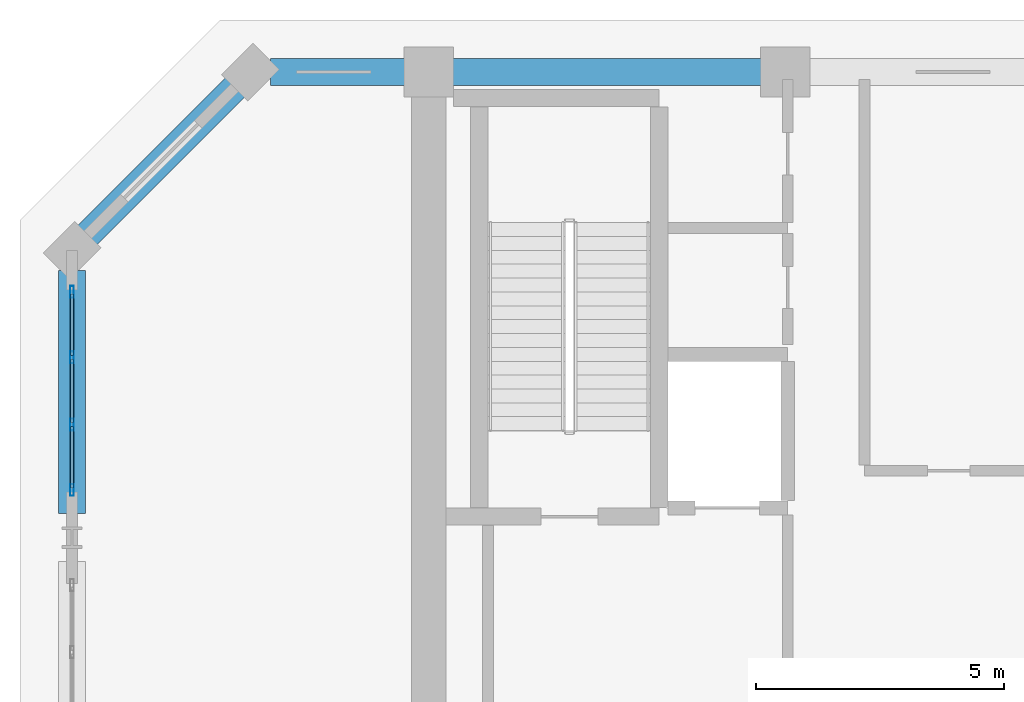
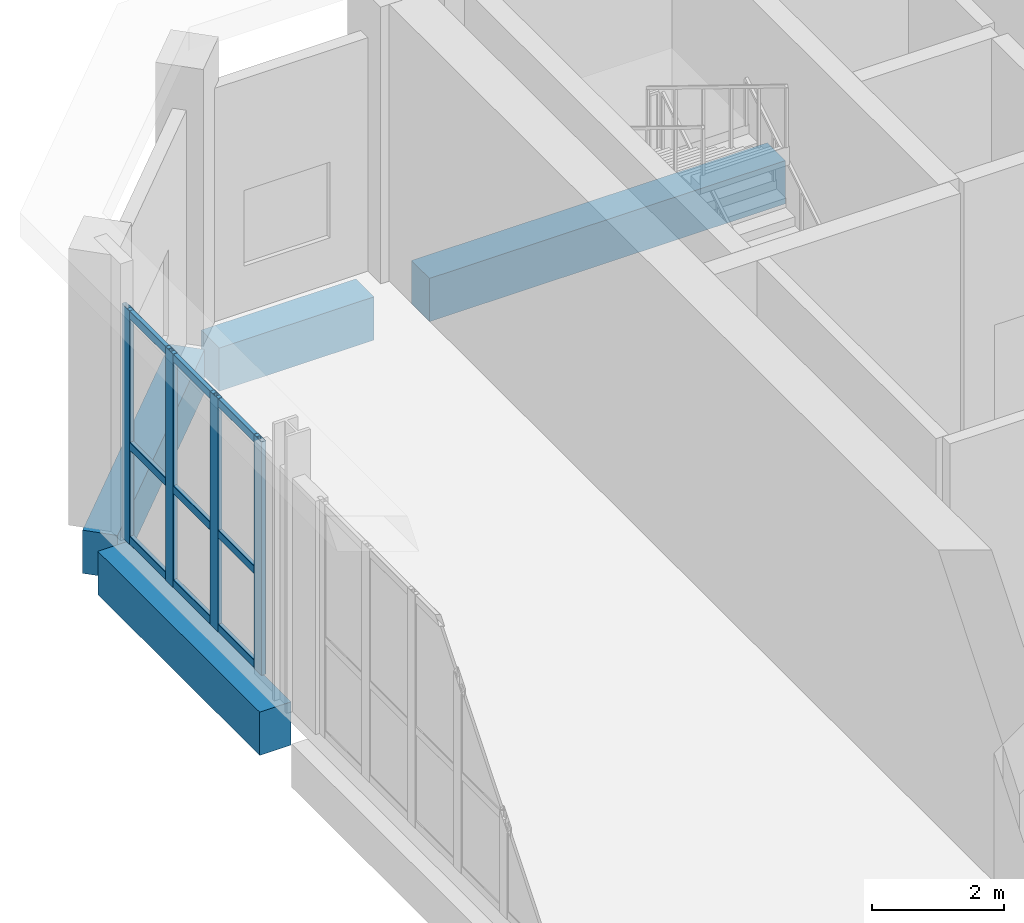
# One storey, part 12 of 26: 13 members, 4 beams, 1 element without a shape of its own.
"""IFC4 building model written with IfcOpenShell, lengths in metres."""

from ifc_helpers import new_model, si_unit, direction, frame, origin, origin_2d, place, context, subcontext, project, spatial, rectangle, hollow_rectangle, extrude, material, layer, layer_set, material_profile, profile_set, type_object, element, aggregate, save


model = new_model("IFC4")

# Units and contexts
model_context = context("Model", 3, precision=1e-05, world=origin(), true_north=direction((0.0, 1.0)))
body_context = subcontext(model_context, "Body", "Model", "MODEL_VIEW")
ifc_project = project(units=[si_unit("LENGTHUNIT", "METRE"), si_unit("AREAUNIT", "SQUARE_METRE"), si_unit("VOLUMEUNIT", "CUBIC_METRE"), si_unit("PLANEANGLEUNIT", "RADIAN"), si_unit("MASSUNIT", "GRAM", prefix="KILO")], contexts=[model_context])

# Site, building, storey
site_placement = place(None, origin())
site = spatial("IfcSite", under=ifc_project, at=site_placement, CompositionType="ELEMENT")
building_placement = place(site_placement, origin())
building = spatial("IfcBuilding", under=site, at=building_placement, Name="Kaelvorn Grand Hotel", CompositionType="ELEMENT")
storey_placement = place(building_placement, frame((0.0, 0.0, 294.699951171875)))
storey = spatial("IfcBuildingStorey", under=building, at=storey_placement, Name="L72", CompositionType="ELEMENT", Elevation=294.699951171875)

# Beams
ifc_material_1 = material(Name="Concrete C50/60", Category="concrete")
ifc_material_profile_1 = material_profile(ifc_material_1, rectangle(XDim=0.550048828125, YDim=0.800048828125, at=origin_2d()), Name="RC SPANDREL 550x800")
ifc_profile_set_1 = profile_set([ifc_material_profile_1], Name="Concrete C50/60")
beam_type = type_object("IfcBeamType", Name="BM-SP-550x800-C50", PredefinedType="SPANDREL", material=ifc_profile_set_1)
beam_1_placement = place(storey_placement, frame((13.0048828125, 49.0, -0.780029296875), z_axis=(1.0, 0.0, 0.0), x_axis=(0.0, 1.0, 0.0)))
element("IfcBeam", 1, at=beam_1_placement, inside=storey, type_object=beam_type, Name="L72 North Perimeter Spandrel 01", PredefinedType="SPANDREL", context=body_context, shape_type="SweptSolid", body=[
    extrude(rectangle(XDim=0.550048828125, YDim=0.800048828125, at=origin_2d()), origin(), (0.0, 0.0, 1.0), 2.710205078125),
])
beam_2_placement = place(storey_placement, frame((16.68505859375, 49.0, -0.780029296875), z_axis=(1.0, 0.0, 0.0), x_axis=(0.0, 1.0, 0.0)))
element("IfcBeam", 2, at=beam_2_placement, inside=storey, type_object=beam_type, Name="L72 North Perimeter Spandrel 02", PredefinedType="SPANDREL", context=body_context, shape_type="SweptSolid", body=[
    extrude(rectangle(XDim=0.550048828125, YDim=0.800048828125, at=origin_2d()), origin(), (0.0, 0.0, 1.0), 6.22998046875),
])
beam_3_placement = place(storey_placement, frame((9.0, 40.0849609375, -0.780029296875), z_axis=(0.0, 1.0, 0.0), x_axis=(-1.0, 0.0, 0.0)))
element("IfcBeam", 3, at=beam_3_placement, inside=storey, type_object=beam_type, Name="L72 West Perimeter Spandrel 04", PredefinedType="SPANDREL", context=body_context, shape_type="SweptSolid", body=[
    extrude(rectangle(XDim=0.550048828125, YDim=0.800048828125, at=origin_2d()), origin(), (0.0, 0.0, 1.0), 4.91015625),
])
beam_4_placement = place(storey_placement, frame((12.60009765625, 49.0, -0.780029296875), z_axis=(-0.707106781187, -0.707106781187, 0.0), x_axis=(0.707106781187, -0.707106781187, 0.0)))
element("IfcBeam", 4, at=beam_4_placement, inside=storey, type_object=beam_type, Name="L72 Chamfer Spandrel Beam 3", PredefinedType="SPANDREL", context=body_context, shape_type="SweptSolid", body=[
    extrude(rectangle(XDim=0.550048828125, YDim=0.800048828125, at=origin_2d()), origin(), (0.0, 0.0, 1.0), 5.09130859375),
])

# Curtain wall, members
ifc_material_2 = material(Name="Anodised Aluminium", Category="aluminium")
ifc_layer = layer(ifc_material_2, 0.239990234375)
ifc_layer_set = layer_set([ifc_layer], Name="Anodised Aluminium")
curtain_wall_type = type_object("IfcCurtainWallType", Name="CW-SYS5", PredefinedType="NOTDEFINED", material=ifc_layer_set)
curtain_wall_placement = place(storey_placement, origin())
curtain_wall = element("IfcCurtainWall", 5, at=curtain_wall_placement, inside=storey, type_object=curtain_wall_type, Name="L72 Unitised Curtain Wall CW5 (CW-L72-W-04)", PredefinedType="NOTDEFINED")
ifc_material_profile_2 = material_profile(ifc_material_2, hollow_rectangle(XDim=0.080078125, YDim=0.239990234375, WallThickness=0.0048828125, InnerFilletRadius=0.0048828125, OuterFilletRadius=0.010009765625, at=origin_2d()), Name="ALU MULL 80x240")
ifc_profile_set_2 = profile_set([ifc_material_profile_2], Name="Anodised Aluminium")
member_type_1 = type_object("IfcMemberType", Name="CW-SYS5-MULL", PredefinedType="MULLION", material=ifc_profile_set_2)
member_1_placement = place(storey_placement, frame((9.0, 44.56005859375, 0.0), z_axis=(0.0, 0.0, 1.0), x_axis=(1.0, 0.0, 0.0)))
member_1 = element("IfcMember", 6, at=member_1_placement, type_object=member_type_1, Name="CW5 mullion 1", PredefinedType="MULLION", context=body_context, shape_type="SweptSolid", body=[
    extrude(hollow_rectangle(XDim=0.080078125, YDim=0.239990234375, WallThickness=0.0048828125, InnerFilletRadius=0.0048828125, OuterFilletRadius=0.010009765625, at=origin_2d()), origin(), (0.0, 0.0, 1.0), 4.320068359375),
])
member_2_placement = place(storey_placement, frame((9.0, 43.239990234375, 0.0), z_axis=(0.0, 0.0, 1.0), x_axis=(1.0, 0.0, 0.0)))
member_2 = element("IfcMember", 7, at=member_2_placement, type_object=member_type_1, Name="CW5 mullion 2", PredefinedType="MULLION", context=body_context, shape_type="SweptSolid", body=[
    extrude(hollow_rectangle(XDim=0.080078125, YDim=0.239990234375, WallThickness=0.0048828125, InnerFilletRadius=0.0048828125, OuterFilletRadius=0.010009765625, at=origin_2d()), origin(), (0.0, 0.0, 1.0), 4.320068359375),
])
member_3_placement = place(storey_placement, frame((9.0, 41.8798828125, 0.0), z_axis=(0.0, 0.0, 1.0), x_axis=(1.0, 0.0, 0.0)))
member_3 = element("IfcMember", 8, at=member_3_placement, type_object=member_type_1, Name="CW5 mullion 3", PredefinedType="MULLION", context=body_context, shape_type="SweptSolid", body=[
    extrude(hollow_rectangle(XDim=0.080078125, YDim=0.239990234375, WallThickness=0.0048828125, InnerFilletRadius=0.0048828125, OuterFilletRadius=0.010009765625, at=origin_2d()), origin(), (0.0, 0.0, 1.0), 4.320068359375),
])
member_4_placement = place(storey_placement, frame((9.0, 40.56005859375, 0.0), z_axis=(0.0, 0.0, 1.0), x_axis=(1.0, 0.0, 0.0)))
member_4 = element("IfcMember", 9, at=member_4_placement, type_object=member_type_1, Name="CW5 mullion 4", PredefinedType="MULLION", context=body_context, shape_type="SweptSolid", body=[
    extrude(hollow_rectangle(XDim=0.080078125, YDim=0.239990234375, WallThickness=0.0048828125, InnerFilletRadius=0.0048828125, OuterFilletRadius=0.010009765625, at=origin_2d()), origin(), (0.0, 0.0, 1.0), 4.320068359375),
])
ifc_material_profile_3 = material_profile(ifc_material_2, hollow_rectangle(XDim=0.074951171875, YDim=0.14990234375, WallThickness=0.00390625, InnerFilletRadius=0.00390625, OuterFilletRadius=0.008056640625, at=origin_2d()), Name="ALU TRAN 75x150")
ifc_profile_set_3 = profile_set([ifc_material_profile_3], Name="Anodised Aluminium")
member_type_2 = type_object("IfcMemberType", Name="CW-SYS5-TRAN", PredefinedType="NOTDEFINED", material=ifc_profile_set_3)
member_5_placement = place(storey_placement, frame((9.0, 44.52001953125, 0.074951171875), z_axis=(0.0, -1.0, 0.0), x_axis=(1.0, 0.0, 0.0)))
member_5 = element("IfcMember", 10, at=member_5_placement, type_object=member_type_2, Name="CW5 transom 1.1", ObjectType="TRANSOM", PredefinedType="USERDEFINED", context=body_context, shape_type="SweptSolid", body=[
    extrude(hollow_rectangle(XDim=0.074951171875, YDim=0.14990234375, WallThickness=0.00390625, InnerFilletRadius=0.00390625, OuterFilletRadius=0.008056640625, at=origin_2d()), origin(), (0.0, 0.0, 1.0), 1.239990234375),
])
member_6_placement = place(storey_placement, frame((9.0, 44.52001953125, 1.814453125), z_axis=(0.0, -1.0, 0.0), x_axis=(1.0, 0.0, 0.0)))
member_6 = element("IfcMember", 11, at=member_6_placement, type_object=member_type_2, Name="CW5 transom 1.2", ObjectType="TRANSOM", PredefinedType="USERDEFINED", context=body_context, shape_type="SweptSolid", body=[
    extrude(hollow_rectangle(XDim=0.074951171875, YDim=0.14990234375, WallThickness=0.00390625, InnerFilletRadius=0.00390625, OuterFilletRadius=0.008056640625, at=origin_2d()), origin(), (0.0, 0.0, 1.0), 1.239990234375),
])
member_7_placement = place(storey_placement, frame((9.0, 44.52001953125, 4.2451171875), z_axis=(0.0, -1.0, 0.0), x_axis=(1.0, 0.0, 0.0)))
member_7 = element("IfcMember", 12, at=member_7_placement, type_object=member_type_2, Name="CW5 transom 1.3", ObjectType="TRANSOM", PredefinedType="USERDEFINED", context=body_context, shape_type="SweptSolid", body=[
    extrude(hollow_rectangle(XDim=0.074951171875, YDim=0.14990234375, WallThickness=0.00390625, InnerFilletRadius=0.00390625, OuterFilletRadius=0.008056640625, at=origin_2d()), origin(), (0.0, 0.0, 1.0), 1.239990234375),
])
member_8_placement = place(storey_placement, frame((9.0, 43.199951171875, 0.074951171875), z_axis=(0.0, -1.0, 0.0), x_axis=(1.0, 0.0, 0.0)))
member_8 = element("IfcMember", 13, at=member_8_placement, type_object=member_type_2, Name="CW5 transom 2.1", ObjectType="TRANSOM", PredefinedType="USERDEFINED", context=body_context, shape_type="SweptSolid", body=[
    extrude(hollow_rectangle(XDim=0.074951171875, YDim=0.14990234375, WallThickness=0.00390625, InnerFilletRadius=0.00390625, OuterFilletRadius=0.008056640625, at=origin_2d()), origin(), (0.0, 0.0, 1.0), 1.280029296875),
])
member_9_placement = place(storey_placement, frame((9.0, 43.199951171875, 1.814453125), z_axis=(0.0, -1.0, 0.0), x_axis=(1.0, 0.0, 0.0)))
member_9 = element("IfcMember", 14, at=member_9_placement, type_object=member_type_2, Name="CW5 transom 2.2", ObjectType="TRANSOM", PredefinedType="USERDEFINED", context=body_context, shape_type="SweptSolid", body=[
    extrude(hollow_rectangle(XDim=0.074951171875, YDim=0.14990234375, WallThickness=0.00390625, InnerFilletRadius=0.00390625, OuterFilletRadius=0.008056640625, at=origin_2d()), origin(), (0.0, 0.0, 1.0), 1.280029296875),
])
member_10_placement = place(storey_placement, frame((9.0, 43.199951171875, 4.2451171875), z_axis=(0.0, -1.0, 0.0), x_axis=(1.0, 0.0, 0.0)))
member_10 = element("IfcMember", 15, at=member_10_placement, type_object=member_type_2, Name="CW5 transom 2.3", ObjectType="TRANSOM", PredefinedType="USERDEFINED", context=body_context, shape_type="SweptSolid", body=[
    extrude(hollow_rectangle(XDim=0.074951171875, YDim=0.14990234375, WallThickness=0.00390625, InnerFilletRadius=0.00390625, OuterFilletRadius=0.008056640625, at=origin_2d()), origin(), (0.0, 0.0, 1.0), 1.280029296875),
])
member_11_placement = place(storey_placement, frame((9.0, 41.840087890625, 0.074951171875), z_axis=(0.0, -1.0, 0.0), x_axis=(1.0, 0.0, 0.0)))
member_11 = element("IfcMember", 16, at=member_11_placement, type_object=member_type_2, Name="CW5 transom 3.1", ObjectType="TRANSOM", PredefinedType="USERDEFINED", context=body_context, shape_type="SweptSolid", body=[
    extrude(hollow_rectangle(XDim=0.074951171875, YDim=0.14990234375, WallThickness=0.00390625, InnerFilletRadius=0.00390625, OuterFilletRadius=0.008056640625, at=origin_2d()), origin(), (0.0, 0.0, 1.0), 1.239990234375),
])
member_12_placement = place(storey_placement, frame((9.0, 41.840087890625, 1.814453125), z_axis=(0.0, -1.0, 0.0), x_axis=(1.0, 0.0, 0.0)))
member_12 = element("IfcMember", 17, at=member_12_placement, type_object=member_type_2, Name="CW5 transom 3.2", ObjectType="TRANSOM", PredefinedType="USERDEFINED", context=body_context, shape_type="SweptSolid", body=[
    extrude(hollow_rectangle(XDim=0.074951171875, YDim=0.14990234375, WallThickness=0.00390625, InnerFilletRadius=0.00390625, OuterFilletRadius=0.008056640625, at=origin_2d()), origin(), (0.0, 0.0, 1.0), 1.239990234375),
])
member_13_placement = place(storey_placement, frame((9.0, 41.840087890625, 4.2451171875), z_axis=(0.0, -1.0, 0.0), x_axis=(1.0, 0.0, 0.0)))
member_13 = element("IfcMember", 18, at=member_13_placement, type_object=member_type_2, Name="CW5 transom 3.3", ObjectType="TRANSOM", PredefinedType="USERDEFINED", context=body_context, shape_type="SweptSolid", body=[
    extrude(hollow_rectangle(XDim=0.074951171875, YDim=0.14990234375, WallThickness=0.00390625, InnerFilletRadius=0.00390625, OuterFilletRadius=0.008056640625, at=origin_2d()), origin(), (0.0, 0.0, 1.0), 1.239990234375),
])
aggregate(curtain_wall, [member_1, member_2, member_3, member_4, member_5, member_6, member_7, member_8, member_9, member_10, member_11, member_12, member_13])

save(model, "model.ifc")
